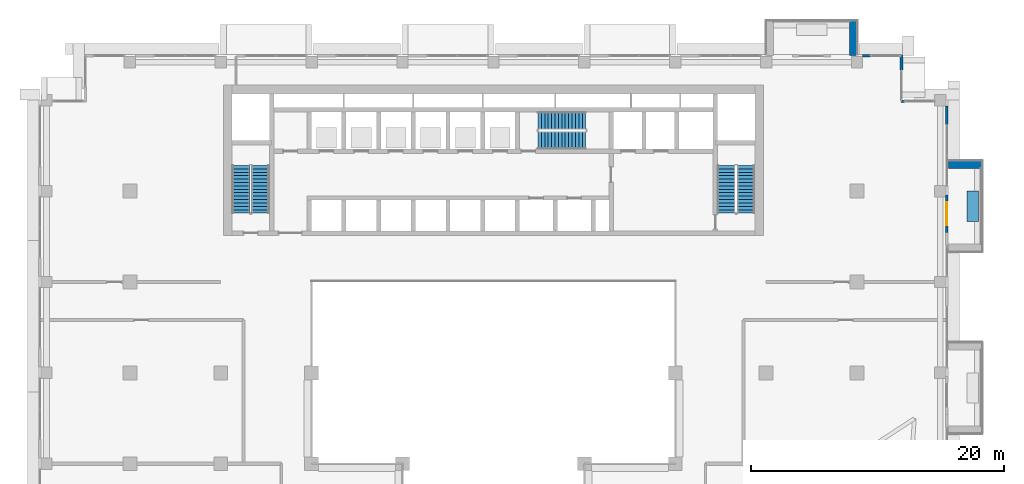
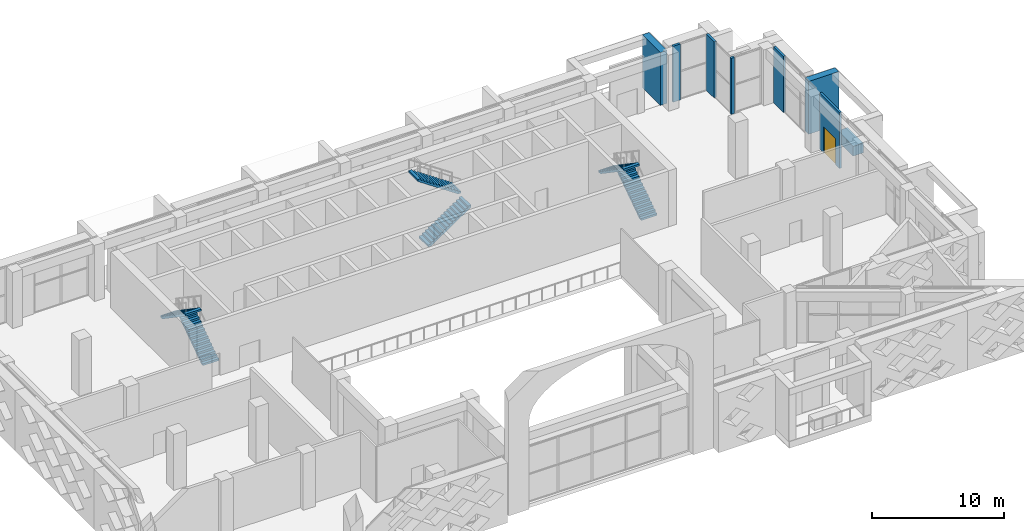
# One storey, part 17 of 25: 8 walls, 6 stair flights, 1 door, 1 opening, 3 elements without a shape of their own.
"""IFC4 building model written with IfcOpenShell, lengths in metres."""

from ifc_helpers import new_model, si_unit, direction, frame, frame_2d, origin, place, context, subcontext, project, spatial, polyline, rectangle, outline, extrude, material, layer, layer_set, type_object, element, fill, aggregate, save


model = new_model("IFC4")

# Units and contexts
model_context = context("Model", 3, precision=1e-05, world=origin(), true_north=direction((0.0, 1.0)))
body_context = subcontext(model_context, "Body", "Model", "MODEL_VIEW")
ifc_project = project(units=[si_unit("LENGTHUNIT", "METRE"), si_unit("AREAUNIT", "SQUARE_METRE"), si_unit("VOLUMEUNIT", "CUBIC_METRE"), si_unit("PLANEANGLEUNIT", "RADIAN"), si_unit("MASSUNIT", "GRAM", prefix="KILO")], contexts=[model_context])

# Site, building, storey
site_placement = place(None, origin())
site = spatial("IfcSite", under=ifc_project, at=site_placement, CompositionType="ELEMENT")
building_placement = place(site_placement, origin())
building = spatial("IfcBuilding", under=site, at=building_placement, Name="Saffron Iwan Residences", CompositionType="ELEMENT")
storey_placement = place(building_placement, frame((0.0, 0.0, 137.5)))
storey = spatial("IfcBuildingStorey", under=building, at=storey_placement, Name="L36", CompositionType="ELEMENT", Elevation=137.5)

# Walls
ifc_material_1 = material(Name="Concrete C50/60 white painted", Category="concrete")
ifc_layer_1 = layer(ifc_material_1, 0.60009765625)
ifc_layer_set_1 = layer_set([ifc_layer_1], Name="Concrete C50/60 white painted")
wall_type_1 = type_object("IfcWallType", Name="BALCONY FIN 600", PredefinedType="SOLIDWALL", material=ifc_layer_set_1)
wall_1_placement = place(storey_placement, frame((86.449951171875, 71.699951171875, 0.0), z_axis=(0.0, 0.0, 1.0), x_axis=(1.0, 0.0, 0.0)))
element("IfcWall", 1, at=wall_1_placement, inside=storey, type_object=wall_type_1, Name="Balcony fin L36 F2-1b", PredefinedType="SOLIDWALL", context=body_context, shape_type="SweptSolid", body=[
    extrude(rectangle(XDim=2.650146484375, YDim=0.60009765625, at=frame_2d((1.3251953125, 0.0))), origin(), (0.0, 0.0, 1.0), 4.89990234375),
])
wall_2_placement = place(storey_placement, frame((78.89990234375, 80.35009765625, 0.0), z_axis=(0.0, 0.0, 1.0), x_axis=(0.0, 1.0, 0.0)))
element("IfcWall", 2, at=wall_2_placement, inside=storey, type_object=wall_type_1, Name="Balcony fin L36 F5-0a", PredefinedType="SOLIDWALL", context=body_context, shape_type="SweptSolid", body=[
    extrude(rectangle(XDim=2.75, YDim=0.60009765625, at=frame_2d((1.375, 0.0))), origin(), (0.0, 0.0, 1.0), 4.89990234375),
])
ifc_material_2 = material(Name="Concrete C35/45 white painted", Category="concrete")
ifc_layer_2 = layer(ifc_material_2, 0.14990234375)
ifc_layer_set_2 = layer_set([ifc_layer_2], Name="Concrete C35/45 white painted")
wall_type_2 = type_object("IfcWallType", Name="BALCONY PLANTER", PredefinedType="SOLIDWALL", material=ifc_layer_set_2)
wall_3_placement = place(storey_placement, frame((88.375, 67.199951171875, 0.0), z_axis=(0.0, 0.0, 1.0), x_axis=(0.0, 1.0, 0.0)))
element("IfcWall", 3, at=wall_3_placement, inside=storey, type_object=wall_type_2, Name="PLANTER L36 F2-1", PredefinedType="SOLIDWALL", context=body_context, shape_type="SweptSolid", body=[
    extrude(rectangle(XDim=2.400146484375, YDim=0.89990234375, at=frame_2d((1.2001953125, 0.0))), origin(), (0.0, 0.0, 1.0), 0.89990234375),
])

# Wall, opening, door
ifc_material_3 = material(Name="Concrete C40/50", Category="concrete")
ifc_layer_3 = layer(ifc_material_3, 0.199951171875)
ifc_layer_set_3 = layer_set([ifc_layer_3], Name="Concrete C40/50")
wall_type_3 = type_object("IfcWallType", Name="EXTERNAL WALL 200", PredefinedType="SOLIDWALL", material=ifc_layer_set_3)
wall_4_placement = place(storey_placement, frame((86.300048828125, 66.300048828125, 0.0), z_axis=(0.0, 0.0, 1.0), x_axis=(0.0, 1.0, 0.0)))
wall_4 = element("IfcWall", 4, at=wall_4_placement, inside=storey, type_object=wall_type_3, Name="External wall L36 F2.D1", PredefinedType="SOLIDWALL", context=body_context, shape_type="SweptSolid", body=[
    extrude(rectangle(XDim=3.0, YDim=0.199951171875, at=frame_2d((1.5, 0.0))), origin(), (0.0, 0.0, 1.0), 5.199951171875),
])
opening_placement = place(wall_4_placement, frame((0.60009765625, 0.0, 0.0)))
opening = element("IfcOpeningElement", 5, at=opening_placement, cuts=wall_4, Name="Opening BD1", PredefinedType="OPENING", context=body_context, shape_type="SweptSolid", body=[
    extrude(rectangle(XDim=1.800048828125, YDim=2.39990234375, at=frame_2d((0.89990234375, 1.199951171875))), frame((0.0, 0.10986328125, 0.0), z_axis=(0.0, -1.0, 0.0), x_axis=(1.0, 0.0, 0.0)), (0.0, 0.0, 1.0), 0.219970703125),
])
ifc_material_4 = material(Name="Clear glass, laminated double glazed", Category="glass")
door_type = type_object("IfcDoorType", Name="BALCONY DOOR 1800 x 2400", OperationType="DOUBLE_DOOR_SLIDING", PredefinedType="DOOR", material=ifc_material_4)
door_placement = place(opening_placement, origin())
door = element("IfcDoor", 6, at=door_placement, inside=storey, type_object=door_type, Name="Terrace door L36 F2.1", OperationType="DOUBLE_DOOR_SLIDING", OverallHeight=2.39990234375, OverallWidth=1.800048828125, PredefinedType="DOOR", context=body_context, shape_type="SweptSolid", body=[
    extrude(rectangle(XDim=1.800048828125, YDim=2.39990234375, at=frame_2d((0.89990234375, 1.199951171875))), frame((0.0, 0.02490234375, 0.0), z_axis=(0.0, -1.0, 0.0), x_axis=(1.0, 0.0, 0.0)), (0.0, 0.0, 1.0), 0.050048828125),
])
fill(opening, door)

# Walls
wall_5_placement = place(storey_placement, frame((86.320068359375, 74.85009765625, 0.0), z_axis=(0.0, 0.0, 1.0), x_axis=(0.0, 1.0, 0.0)))
element("IfcWall", 7, at=wall_5_placement, inside=storey, type_object=wall_type_3, Name="External wall infill CWC-L36-F2-3", PredefinedType="SOLIDWALL", context=body_context, shape_type="SweptSolid", body=[
    extrude(rectangle(XDim=1.5, YDim=0.199951171875, at=frame_2d((0.75, 0.0))), origin(), (0.0, 0.0, 1.0), 5.199951171875),
])
wall_6_placement = place(storey_placement, frame((82.949951171875, 76.719970703125, 0.0), z_axis=(0.0, 0.0, 1.0), x_axis=(-1.0, 0.0, 0.0)))
element("IfcWall", 8, at=wall_6_placement, inside=storey, type_object=wall_type_3, Name="External wall infill CWC-L36-F3-0", PredefinedType="SOLIDWALL", context=body_context, shape_type="SweptSolid", body=[
    extrude(rectangle(XDim=0.280029296875, YDim=0.199951171875, at=frame_2d((0.14013671875, 0.0))), origin(), (0.0, 0.0, 1.0), 5.199951171875),
])
wall_7_placement = place(storey_placement, frame((82.719970703125, 79.169921875, 0.0), z_axis=(0.0, 0.0, 1.0), x_axis=(0.0, 1.0, 0.0)))
element("IfcWall", 9, at=wall_7_placement, inside=storey, type_object=wall_type_3, Name="External wall infill CWC-L36-F4-0", PredefinedType="SOLIDWALL", context=body_context, shape_type="SweptSolid", body=[
    extrude(rectangle(XDim=1.2001953125, YDim=0.199951171875, at=frame_2d((0.60009765625, 0.0))), origin(), (0.0, 0.0, 1.0), 5.199951171875),
])
wall_8_placement = place(storey_placement, frame((80.27001953125, 80.320068359375, 0.0), z_axis=(0.0, 0.0, 1.0), x_axis=(-1.0, 0.0, 0.0)))
element("IfcWall", 10, at=wall_8_placement, inside=storey, type_object=wall_type_3, Name="External wall infill CWC-L36-F5-0", PredefinedType="SOLIDWALL", context=body_context, shape_type="SweptSolid", body=[
    extrude(rectangle(XDim=0.6201171875, YDim=0.199951171875, at=frame_2d((0.31005859375, 0.0))), origin(), (0.0, 0.0, 1.0), 5.199951171875),
])

# Stair, stair flights
ifc_material_5 = material(Name="Concrete C50/60", Category="concrete")
stair_type = type_object("IfcStairType", Name="Stair ST-CORE", PredefinedType="HALF_TURN_STAIR", material=ifc_material_5)
stair_1_placement = place(storey_placement, origin())
stair_1 = element("IfcStair", 11, at=stair_1_placement, inside=storey, type_object=stair_type, Name="L36 Exit Stair ST-W", PredefinedType="HALF_TURN_STAIR")
ifc_layer_4 = layer(ifc_material_5, 0.14990234375)
ifc_layer_set_4 = layer_set([ifc_layer_4], Name="Concrete C50/60")
stair_flight_type = type_object("IfcStairFlightType", Name="Stair flight SFL-RC", PredefinedType="STRAIGHT", material=ifc_layer_set_4)
stair_flight_1_placement = place(storey_placement, frame((31.949951171875, 67.85009765625, 0.0), z_axis=(0.0, 0.0, 1.0), x_axis=(0.0, 1.0, 0.0)))
stair_flight_1 = element("IfcStairFlight", 12, at=stair_flight_1_placement, type_object=stair_flight_type, Name="ST-W flight 1", NumberOfRisers=15, NumberOfTreads=14, PredefinedType="STRAIGHT", RiserHeight=0.183333333, TreadLength=0.27, context=body_context, shape_type="SweptSolid", body=[
    extrude(outline(polyline([(0.0, 0.0), (0.0, 0.183349609375), (0.27001953125, 0.183349609375), (0.27001953125, 0.36669921875), (0.5400390625, 0.36669921875), (0.5400390625, 0.550048828125), (0.81005859375, 0.550048828125), (0.81005859375, 0.7333984375), (1.080078125, 0.7333984375), (1.080078125, 0.916748046875), (1.35009765625, 0.916748046875), (1.35009765625, 1.10009765625), (1.6201171875, 1.10009765625), (1.6201171875, 1.283447265625), (1.889892578125, 1.283447265625), (1.889892578125, 1.466552734375), (2.159912109375, 1.466552734375), (2.159912109375, 1.64990234375), (2.429931640625, 1.64990234375), (2.429931640625, 1.833251953125), (2.699951171875, 1.833251953125), (2.699951171875, 2.0166015625), (2.969970703125, 2.0166015625), (2.969970703125, 2.199951171875), (3.239990234375, 2.199951171875), (3.239990234375, 2.38330078125), (3.510009765625, 2.38330078125), (3.510009765625, 2.566650390625), (3.780029296875, 2.566650390625), (3.780029296875, 2.75), (3.780029296875, 2.385498046875), (0.266845703125, 0.0), (0.0, 0.0)])), frame((0.0, 0.699951171875, 0.0), z_axis=(0.0, -1.0, 0.0), x_axis=(1.0, 0.0, 0.0)), (0.0, 0.0, 1.0), 1.39990234375),
])
stair_flight_2_placement = place(storey_placement, frame((30.39990234375, 71.6298828125, 2.75), z_axis=(0.0, 0.0, 1.0), x_axis=(0.0, -1.0, 0.0)))
stair_flight_2 = element("IfcStairFlight", 13, at=stair_flight_2_placement, type_object=stair_flight_type, Name="ST-W flight 2", NumberOfRisers=15, NumberOfTreads=14, PredefinedType="STRAIGHT", RiserHeight=0.183333333, TreadLength=0.27, context=body_context, shape_type="SweptSolid", body=[
    extrude(outline(polyline([(0.0, 0.0), (0.0, 0.183349609375), (0.27001953125, 0.183349609375), (0.27001953125, 0.36669921875), (0.5400390625, 0.36669921875), (0.5400390625, 0.550048828125), (0.81005859375, 0.550048828125), (0.81005859375, 0.7333984375), (1.080078125, 0.7333984375), (1.080078125, 0.916748046875), (1.35009765625, 0.916748046875), (1.35009765625, 1.10009765625), (1.6201171875, 1.10009765625), (1.6201171875, 1.283447265625), (1.889892578125, 1.283447265625), (1.889892578125, 1.466552734375), (2.159912109375, 1.466552734375), (2.159912109375, 1.64990234375), (2.429931640625, 1.64990234375), (2.429931640625, 1.833251953125), (2.699951171875, 1.833251953125), (2.699951171875, 2.0166015625), (2.969970703125, 2.0166015625), (2.969970703125, 2.199951171875), (3.239990234375, 2.199951171875), (3.239990234375, 2.38330078125), (3.510009765625, 2.38330078125), (3.510009765625, 2.566650390625), (3.780029296875, 2.566650390625), (3.780029296875, 2.75), (3.780029296875, 2.385498046875), (0.266845703125, 0.0), (0.0, 0.0)])), frame((0.0, 0.699951171875, 0.0), z_axis=(0.0, -1.0, 0.0), x_axis=(1.0, 0.0, 0.0)), (0.0, 0.0, 1.0), 1.39990234375),
])
aggregate(stair_1, [stair_flight_1, stair_flight_2])

stair_2_placement = place(storey_placement, origin())
stair_2 = element("IfcStair", 14, at=stair_2_placement, inside=storey, type_object=stair_type, Name="L36 Exit Stair ST-C", PredefinedType="HALF_TURN_STAIR")
stair_flight_3_placement = place(storey_placement, frame((53.925048828125, 73.625, 0.0), z_axis=(0.0, 0.0, 1.0), x_axis=(1.0, 0.0, 0.0)))
stair_flight_3 = element("IfcStairFlight", 15, at=stair_flight_3_placement, type_object=stair_flight_type, Name="ST-C flight 1", NumberOfRisers=15, NumberOfTreads=14, PredefinedType="STRAIGHT", RiserHeight=0.183333333, TreadLength=0.27, context=body_context, shape_type="SweptSolid", body=[
    extrude(outline(polyline([(0.0, 0.0), (0.0, 0.183349609375), (0.27001953125, 0.183349609375), (0.27001953125, 0.36669921875), (0.5400390625, 0.36669921875), (0.5400390625, 0.550048828125), (0.81005859375, 0.550048828125), (0.81005859375, 0.7333984375), (1.080078125, 0.7333984375), (1.080078125, 0.916748046875), (1.35009765625, 0.916748046875), (1.35009765625, 1.10009765625), (1.6201171875, 1.10009765625), (1.6201171875, 1.283447265625), (1.889892578125, 1.283447265625), (1.889892578125, 1.466552734375), (2.159912109375, 1.466552734375), (2.159912109375, 1.64990234375), (2.429931640625, 1.64990234375), (2.429931640625, 1.833251953125), (2.699951171875, 1.833251953125), (2.699951171875, 2.0166015625), (2.969970703125, 2.0166015625), (2.969970703125, 2.199951171875), (3.239990234375, 2.199951171875), (3.239990234375, 2.38330078125), (3.510009765625, 2.38330078125), (3.510009765625, 2.566650390625), (3.780029296875, 2.566650390625), (3.780029296875, 2.75), (3.780029296875, 2.385498046875), (0.266845703125, 0.0), (0.0, 0.0)])), frame((0.0, 0.699951171875, 0.0), z_axis=(0.0, -1.0, 0.0), x_axis=(1.0, 0.0, 0.0)), (0.0, 0.0, 1.0), 1.39990234375),
])
stair_flight_4_placement = place(storey_placement, frame((57.705078125, 75.175048828125, 2.75), z_axis=(0.0, 0.0, 1.0), x_axis=(-1.0, 0.0, 0.0)))
stair_flight_4 = element("IfcStairFlight", 16, at=stair_flight_4_placement, type_object=stair_flight_type, Name="ST-C flight 2", NumberOfRisers=15, NumberOfTreads=14, PredefinedType="STRAIGHT", RiserHeight=0.183333333, TreadLength=0.27, context=body_context, shape_type="SweptSolid", body=[
    extrude(outline(polyline([(0.0, 0.0), (0.0, 0.183349609375), (0.27001953125, 0.183349609375), (0.27001953125, 0.36669921875), (0.5400390625, 0.36669921875), (0.5400390625, 0.550048828125), (0.81005859375, 0.550048828125), (0.81005859375, 0.7333984375), (1.080078125, 0.7333984375), (1.080078125, 0.916748046875), (1.35009765625, 0.916748046875), (1.35009765625, 1.10009765625), (1.6201171875, 1.10009765625), (1.6201171875, 1.283447265625), (1.889892578125, 1.283447265625), (1.889892578125, 1.466552734375), (2.159912109375, 1.466552734375), (2.159912109375, 1.64990234375), (2.429931640625, 1.64990234375), (2.429931640625, 1.833251953125), (2.699951171875, 1.833251953125), (2.699951171875, 2.0166015625), (2.969970703125, 2.0166015625), (2.969970703125, 2.199951171875), (3.239990234375, 2.199951171875), (3.239990234375, 2.38330078125), (3.510009765625, 2.38330078125), (3.510009765625, 2.566650390625), (3.780029296875, 2.566650390625), (3.780029296875, 2.75), (3.780029296875, 2.385498046875), (0.266845703125, 0.0), (0.0, 0.0)])), frame((0.0, 0.699951171875, 0.0), z_axis=(0.0, -1.0, 0.0), x_axis=(1.0, 0.0, 0.0)), (0.0, 0.0, 1.0), 1.39990234375),
])
aggregate(stair_2, [stair_flight_3, stair_flight_4])

stair_3_placement = place(storey_placement, origin())
stair_3 = element("IfcStair", 17, at=stair_3_placement, inside=storey, type_object=stair_type, Name="L36 Exit Stair ST-E", PredefinedType="HALF_TURN_STAIR")
stair_flight_5_placement = place(storey_placement, frame((70.39990234375, 67.85009765625, 0.0), z_axis=(0.0, 0.0, 1.0), x_axis=(0.0, 1.0, 0.0)))
stair_flight_5 = element("IfcStairFlight", 18, at=stair_flight_5_placement, type_object=stair_flight_type, Name="ST-E flight 1", NumberOfRisers=15, NumberOfTreads=14, PredefinedType="STRAIGHT", RiserHeight=0.183333333, TreadLength=0.27, context=body_context, shape_type="SweptSolid", body=[
    extrude(outline(polyline([(0.0, 0.0), (0.0, 0.183349609375), (0.27001953125, 0.183349609375), (0.27001953125, 0.36669921875), (0.5400390625, 0.36669921875), (0.5400390625, 0.550048828125), (0.81005859375, 0.550048828125), (0.81005859375, 0.7333984375), (1.080078125, 0.7333984375), (1.080078125, 0.916748046875), (1.35009765625, 0.916748046875), (1.35009765625, 1.10009765625), (1.6201171875, 1.10009765625), (1.6201171875, 1.283447265625), (1.889892578125, 1.283447265625), (1.889892578125, 1.466552734375), (2.159912109375, 1.466552734375), (2.159912109375, 1.64990234375), (2.429931640625, 1.64990234375), (2.429931640625, 1.833251953125), (2.699951171875, 1.833251953125), (2.699951171875, 2.0166015625), (2.969970703125, 2.0166015625), (2.969970703125, 2.199951171875), (3.239990234375, 2.199951171875), (3.239990234375, 2.38330078125), (3.510009765625, 2.38330078125), (3.510009765625, 2.566650390625), (3.780029296875, 2.566650390625), (3.780029296875, 2.75), (3.780029296875, 2.385498046875), (0.266845703125, 0.0), (0.0, 0.0)])), frame((0.0, 0.699951171875, 0.0), z_axis=(0.0, -1.0, 0.0), x_axis=(1.0, 0.0, 0.0)), (0.0, 0.0, 1.0), 1.39990234375),
])
stair_flight_6_placement = place(storey_placement, frame((68.85009765625, 71.6298828125, 2.75), z_axis=(0.0, 0.0, 1.0), x_axis=(0.0, -1.0, 0.0)))
stair_flight_6 = element("IfcStairFlight", 19, at=stair_flight_6_placement, type_object=stair_flight_type, Name="ST-E flight 2", NumberOfRisers=15, NumberOfTreads=14, PredefinedType="STRAIGHT", RiserHeight=0.183333333, TreadLength=0.27, context=body_context, shape_type="SweptSolid", body=[
    extrude(outline(polyline([(0.0, 0.0), (0.0, 0.183349609375), (0.27001953125, 0.183349609375), (0.27001953125, 0.36669921875), (0.5400390625, 0.36669921875), (0.5400390625, 0.550048828125), (0.81005859375, 0.550048828125), (0.81005859375, 0.7333984375), (1.080078125, 0.7333984375), (1.080078125, 0.916748046875), (1.35009765625, 0.916748046875), (1.35009765625, 1.10009765625), (1.6201171875, 1.10009765625), (1.6201171875, 1.283447265625), (1.889892578125, 1.283447265625), (1.889892578125, 1.466552734375), (2.159912109375, 1.466552734375), (2.159912109375, 1.64990234375), (2.429931640625, 1.64990234375), (2.429931640625, 1.833251953125), (2.699951171875, 1.833251953125), (2.699951171875, 2.0166015625), (2.969970703125, 2.0166015625), (2.969970703125, 2.199951171875), (3.239990234375, 2.199951171875), (3.239990234375, 2.38330078125), (3.510009765625, 2.38330078125), (3.510009765625, 2.566650390625), (3.780029296875, 2.566650390625), (3.780029296875, 2.75), (3.780029296875, 2.385498046875), (0.266845703125, 0.0), (0.0, 0.0)])), frame((0.0, 0.699951171875, 0.0), z_axis=(0.0, -1.0, 0.0), x_axis=(1.0, 0.0, 0.0)), (0.0, 0.0, 1.0), 1.39990234375),
])
aggregate(stair_3, [stair_flight_5, stair_flight_6])

save(model, "model.ifc")
